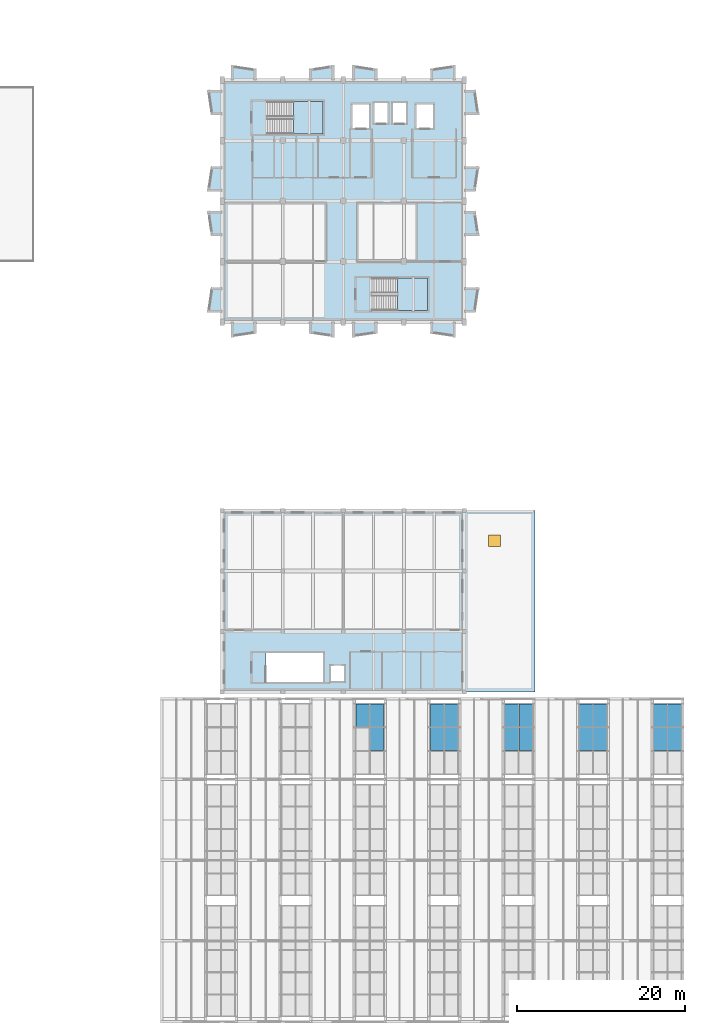
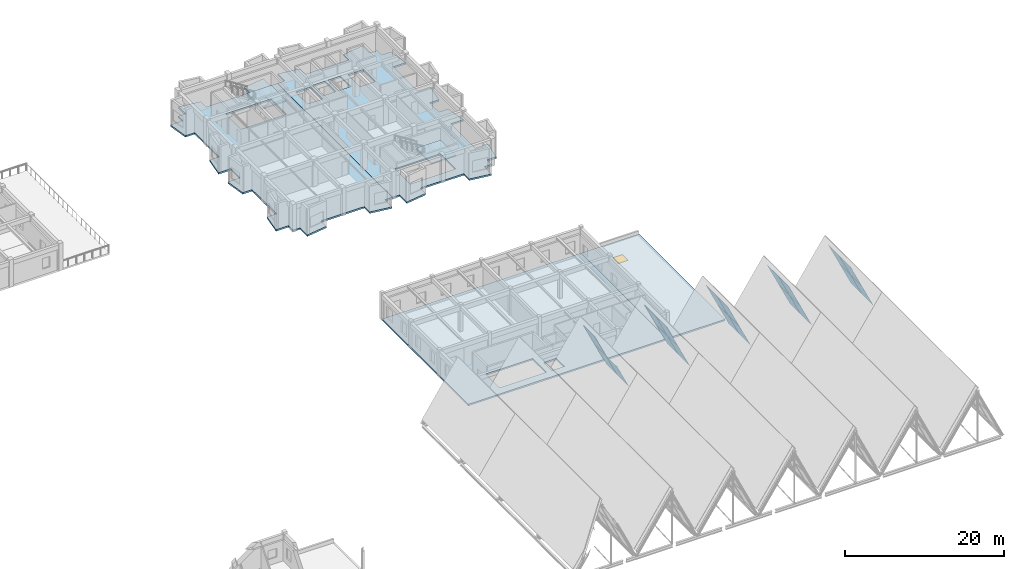
# One storey, part 72 of 99: 19 plates, 6 slabs, 1 window, 1 opening, 7 elements without a shape of their own.
"""IFC4 building model written with IfcOpenShell, lengths in metres."""

from ifc_helpers import new_model, si_unit, direction, frame, origin, origin_2d, place, context, subcontext, project, spatial, polyline, rectangle, outline, extrude, material, layer, layer_set, type_object, element, fill, aggregate, save


model = new_model("IFC4")

# Units and contexts
model_context = context("Model", 3, precision=1e-05, world=origin(), true_north=direction((0.0, 1.0)))
body_context = subcontext(model_context, "Body", "Model", "MODEL_VIEW")
ifc_project = project(units=[si_unit("LENGTHUNIT", "METRE"), si_unit("AREAUNIT", "SQUARE_METRE"), si_unit("VOLUMEUNIT", "CUBIC_METRE"), si_unit("PLANEANGLEUNIT", "RADIAN"), si_unit("MASSUNIT", "GRAM", prefix="KILO")], contexts=[model_context])

# Site, building, storey
site_placement = place(None, origin())
site = spatial("IfcSite", under=ifc_project, at=site_placement, CompositionType="ELEMENT")
building_placement = place(site_placement, origin())
building = spatial("IfcBuilding", under=site, at=building_placement, Name="Bramveld Media Centre", CompositionType="ELEMENT")
storey_placement = place(building_placement, frame((0.0, 0.0, 13.800048828125)))
storey = spatial("IfcBuildingStorey", under=building, at=storey_placement, Name="L03", CompositionType="ELEMENT", Elevation=13.800048828125)

# Curtain wall, plates
ifc_material_1 = material(Name="Thermally broken anodized bronze aluminium unitized curtain wall with solar-control triple glazing", Category="aluminium")
curtain_wall_type = type_object("IfcCurtainWallType", Name="CW-SAW-8500x8606", PredefinedType="NOTDEFINED", material=ifc_material_1)
curtain_wall_1_placement = place(storey_placement, origin())
curtain_wall_1 = element("IfcCurtainWall", 1, at=curtain_wall_1_placement, inside=storey, type_object=curtain_wall_type, Name="V1 sawtooth north-light clerestory B3-S3", PredefinedType="NOTDEFINED")
ifc_material_2 = material(Name="Solar-control triple insulating safety glass unit", Category="glass")
ifc_layer_1 = layer(ifc_material_2, 0.028076171875)
ifc_layer_set_1 = layer_set([ifc_layer_1], Name="Solar-control triple insulating safety glass unit")
plate_type = type_object("IfcPlateType", Name="CW-PAN-SLP", PredefinedType="CURTAIN_PANEL", material=ifc_layer_set_1)
plate_1_placement = place(storey_placement, frame((150.4111328125, 32.21826171875, 0.322509765625), z_axis=(0.9056675867, 0.0, 0.423988469657), x_axis=(0.0, 1.0, 0.0)))
plate_1 = element("IfcPlate", 2, at=plate_1_placement, type_object=plate_type, Name="CW-SA-8586 glass panel 2.1", PredefinedType="CURTAIN_PANEL", context=body_context, shape_type="SweptSolid", body=[
    extrude(outline(polyline([(0.0, 0.0), (2.763427734375, 0.0), (2.763427734375, 3.8764136412276113), (0.0, 3.8764136412276113), (0.0, 0.0)])), origin(), (0.0, 0.0, -1.0), 0.028076171875),
])
plate_2_placement = place(storey_placement, frame((150.4111328125, 35.0517578125, 0.322509765625), z_axis=(0.9056675867, 0.0, 0.423988469657), x_axis=(0.0, 1.0, 0.0)))
plate_2 = element("IfcPlate", 3, at=plate_2_placement, type_object=plate_type, Name="CW-SA-8586 glass panel 3.1", PredefinedType="CURTAIN_PANEL", context=body_context, shape_type="SweptSolid", body=[
    extrude(outline(polyline([(0.0, 0.0), (2.728271484375, 0.0), (2.728271484375, 3.8764136412276113), (0.0, 3.8764136412276113), (0.0, 0.0)])), origin(), (0.0, 0.0, -1.0), 0.028076171875),
])
plate_3_placement = place(storey_placement, frame((148.738037109375, 35.0517578125, 3.896728515625), z_axis=(0.9056675867, 0.0, 0.423988469657), x_axis=(0.0, 1.0, 0.0)))
plate_3 = element("IfcPlate", 4, at=plate_3_placement, type_object=plate_type, Name="CW-SA-8586 glass panel 3.2", PredefinedType="CURTAIN_PANEL", context=body_context, shape_type="SweptSolid", body=[
    extrude(outline(polyline([(0.0, 0.0), (2.728271484375, 0.0), (2.728271484375, 3.8764136412276113), (0.0, 3.8764136412276113), (0.0, 0.0)])), origin(), (0.0, 0.0, -1.0), 0.028076171875),
])
aggregate(curtain_wall_1, [plate_1, plate_2, plate_3])

curtain_wall_2_placement = place(storey_placement, origin())
curtain_wall_2 = element("IfcCurtainWall", 5, at=curtain_wall_2_placement, inside=storey, type_object=curtain_wall_type, Name="V1 sawtooth north-light clerestory B4-S3", PredefinedType="NOTDEFINED")
plate_4_placement = place(storey_placement, frame((159.268310546875, 32.21826171875, 0.322509765625), z_axis=(0.9056675867, 0.0, 0.423988469657), x_axis=(0.0, 1.0, 0.0)))
plate_4 = element("IfcPlate", 6, at=plate_4_placement, type_object=plate_type, Name="CW-SA-8586 glass panel 2.1", PredefinedType="CURTAIN_PANEL", context=body_context, shape_type="SweptSolid", body=[
    extrude(outline(polyline([(0.0, 0.0), (2.763427734375, 0.0), (2.763427734375, 3.8764136412276113), (0.0, 3.8764136412276113), (0.0, 0.0)])), origin(), (0.0, 0.0, -1.0), 0.028076171875),
])
plate_5_placement = place(storey_placement, frame((157.59521484375, 32.21826171875, 3.896728515625), z_axis=(0.9056675867, 0.0, 0.423988469657), x_axis=(0.0, 1.0, 0.0)))
plate_5 = element("IfcPlate", 7, at=plate_5_placement, type_object=plate_type, Name="CW-SA-8586 glass panel 2.2", PredefinedType="CURTAIN_PANEL", context=body_context, shape_type="SweptSolid", body=[
    extrude(outline(polyline([(0.0, 0.0), (2.763427734375, 0.0), (2.763427734375, 3.8764136412276113), (0.0, 3.8764136412276113), (0.0, 0.0)])), origin(), (0.0, 0.0, -1.0), 0.028076171875),
])
plate_6_placement = place(storey_placement, frame((159.268310546875, 35.0517578125, 0.322509765625), z_axis=(0.9056675867, 0.0, 0.423988469657), x_axis=(0.0, 1.0, 0.0)))
plate_6 = element("IfcPlate", 8, at=plate_6_placement, type_object=plate_type, Name="CW-SA-8586 glass panel 3.1", PredefinedType="CURTAIN_PANEL", context=body_context, shape_type="SweptSolid", body=[
    extrude(outline(polyline([(0.0, 0.0), (2.728271484375, 0.0), (2.728271484375, 3.8764136412276113), (0.0, 3.8764136412276113), (0.0, 0.0)])), origin(), (0.0, 0.0, -1.0), 0.028076171875),
])
plate_7_placement = place(storey_placement, frame((157.59521484375, 35.0517578125, 3.896728515625), z_axis=(0.9056675867, 0.0, 0.423988469657), x_axis=(0.0, 1.0, 0.0)))
plate_7 = element("IfcPlate", 9, at=plate_7_placement, type_object=plate_type, Name="CW-SA-8586 glass panel 3.2", PredefinedType="CURTAIN_PANEL", context=body_context, shape_type="SweptSolid", body=[
    extrude(outline(polyline([(0.0, 0.0), (2.728271484375, 0.0), (2.728271484375, 3.8764136412276113), (0.0, 3.8764136412276113), (0.0, 0.0)])), origin(), (0.0, 0.0, -1.0), 0.028076171875),
])
aggregate(curtain_wall_2, [plate_4, plate_5, plate_6, plate_7])

curtain_wall_3_placement = place(storey_placement, origin())
curtain_wall_3 = element("IfcCurtainWall", 10, at=curtain_wall_3_placement, inside=storey, type_object=curtain_wall_type, Name="V1 sawtooth north-light clerestory B5-S3", PredefinedType="NOTDEFINED")
plate_8_placement = place(storey_placement, frame((168.12548828125, 32.21826171875, 0.322509765625), z_axis=(0.9056675867, 0.0, 0.423988469657), x_axis=(0.0, 1.0, 0.0)))
plate_8 = element("IfcPlate", 11, at=plate_8_placement, type_object=plate_type, Name="CW-SA-8586 glass panel 2.1", PredefinedType="CURTAIN_PANEL", context=body_context, shape_type="SweptSolid", body=[
    extrude(outline(polyline([(0.0, 0.0), (2.763427734375, 0.0), (2.763427734375, 3.8764136412276113), (0.0, 3.8764136412276113), (0.0, 0.0)])), origin(), (0.0, 0.0, -1.0), 0.028076171875),
])
plate_9_placement = place(storey_placement, frame((166.452392578125, 32.21826171875, 3.896728515625), z_axis=(0.9056675867, 0.0, 0.423988469657), x_axis=(0.0, 1.0, 0.0)))
plate_9 = element("IfcPlate", 12, at=plate_9_placement, type_object=plate_type, Name="CW-SA-8586 glass panel 2.2", PredefinedType="CURTAIN_PANEL", context=body_context, shape_type="SweptSolid", body=[
    extrude(outline(polyline([(0.0, 0.0), (2.763427734375, 0.0), (2.763427734375, 3.8764136412276113), (0.0, 3.8764136412276113), (0.0, 0.0)])), origin(), (0.0, 0.0, -1.0), 0.028076171875),
])
plate_10_placement = place(storey_placement, frame((168.12548828125, 35.0517578125, 0.322509765625), z_axis=(0.9056675867, 0.0, 0.423988469657), x_axis=(0.0, 1.0, 0.0)))
plate_10 = element("IfcPlate", 13, at=plate_10_placement, type_object=plate_type, Name="CW-SA-8586 glass panel 3.1", PredefinedType="CURTAIN_PANEL", context=body_context, shape_type="SweptSolid", body=[
    extrude(outline(polyline([(0.0, 0.0), (2.728271484375, 0.0), (2.728271484375, 3.8764136412276113), (0.0, 3.8764136412276113), (0.0, 0.0)])), origin(), (0.0, 0.0, -1.0), 0.028076171875),
])
plate_11_placement = place(storey_placement, frame((166.452392578125, 35.0517578125, 3.896728515625), z_axis=(0.9056675867, 0.0, 0.423988469657), x_axis=(0.0, 1.0, 0.0)))
plate_11 = element("IfcPlate", 14, at=plate_11_placement, type_object=plate_type, Name="CW-SA-8586 glass panel 3.2", PredefinedType="CURTAIN_PANEL", context=body_context, shape_type="SweptSolid", body=[
    extrude(outline(polyline([(0.0, 0.0), (2.728271484375, 0.0), (2.728271484375, 3.8764136412276113), (0.0, 3.8764136412276113), (0.0, 0.0)])), origin(), (0.0, 0.0, -1.0), 0.028076171875),
])
aggregate(curtain_wall_3, [plate_8, plate_9, plate_10, plate_11])

curtain_wall_4_placement = place(storey_placement, origin())
curtain_wall_4 = element("IfcCurtainWall", 15, at=curtain_wall_4_placement, inside=storey, type_object=curtain_wall_type, Name="V1 sawtooth north-light clerestory B6-S3", PredefinedType="NOTDEFINED")
plate_12_placement = place(storey_placement, frame((176.982666015625, 32.21826171875, 0.322509765625), z_axis=(0.9056675867, 0.0, 0.423988469657), x_axis=(0.0, 1.0, 0.0)))
plate_12 = element("IfcPlate", 16, at=plate_12_placement, type_object=plate_type, Name="CW-SA-8586 glass panel 2.1", PredefinedType="CURTAIN_PANEL", context=body_context, shape_type="SweptSolid", body=[
    extrude(outline(polyline([(0.0, 0.0), (2.763427734375, 0.0), (2.763427734375, 3.8764136412276113), (0.0, 3.8764136412276113), (0.0, 0.0)])), origin(), (0.0, 0.0, -1.0), 0.028076171875),
])
plate_13_placement = place(storey_placement, frame((175.309326171875, 32.21826171875, 3.896728515625), z_axis=(0.905691770132, 0.0, 0.423936808398), x_axis=(0.0, 1.0, 0.0)))
plate_13 = element("IfcPlate", 17, at=plate_13_placement, type_object=plate_type, Name="CW-SA-8586 glass panel 2.2", PredefinedType="CURTAIN_PANEL", context=body_context, shape_type="SweptSolid", body=[
    extrude(outline(polyline([(0.0, 0.0), (2.763427734375, 0.0), (2.763427734375, 3.876310134723858), (0.0, 3.876310134723858), (0.0, 0.0)])), origin(), (0.0, 0.0, -1.0), 0.028076171875),
])
plate_14_placement = place(storey_placement, frame((176.982666015625, 35.0517578125, 0.322509765625), z_axis=(0.9056675867, 0.0, 0.423988469657), x_axis=(0.0, 1.0, 0.0)))
plate_14 = element("IfcPlate", 18, at=plate_14_placement, type_object=plate_type, Name="CW-SA-8586 glass panel 3.1", PredefinedType="CURTAIN_PANEL", context=body_context, shape_type="SweptSolid", body=[
    extrude(outline(polyline([(0.0, 0.0), (2.728271484375, 0.0), (2.728271484375, 3.8764136412276113), (0.0, 3.8764136412276113), (0.0, 0.0)])), origin(), (0.0, 0.0, -1.0), 0.028076171875),
])
plate_15_placement = place(storey_placement, frame((175.309326171875, 35.0517578125, 3.896728515625), z_axis=(0.905691770132, 0.0, 0.423936808398), x_axis=(0.0, 1.0, 0.0)))
plate_15 = element("IfcPlate", 19, at=plate_15_placement, type_object=plate_type, Name="CW-SA-8586 glass panel 3.2", PredefinedType="CURTAIN_PANEL", context=body_context, shape_type="SweptSolid", body=[
    extrude(outline(polyline([(0.0, 0.0), (2.728271484375, 0.0), (2.728271484375, 3.876310134723858), (0.0, 3.876310134723858), (0.0, 0.0)])), origin(), (0.0, 0.0, -1.0), 0.028076171875),
])
aggregate(curtain_wall_4, [plate_12, plate_13, plate_14, plate_15])

curtain_wall_5_placement = place(storey_placement, origin())
curtain_wall_5 = element("IfcCurtainWall", 20, at=curtain_wall_5_placement, inside=storey, type_object=curtain_wall_type, Name="V1 sawtooth north-light clerestory B7-S3", PredefinedType="NOTDEFINED")
plate_16_placement = place(storey_placement, frame((185.839599609375, 32.21826171875, 0.322509765625), z_axis=(0.905691770132, 0.0, 0.423936808398), x_axis=(0.0, 1.0, 0.0)))
plate_16 = element("IfcPlate", 21, at=plate_16_placement, type_object=plate_type, Name="CW-SA-8586 glass panel 2.1", PredefinedType="CURTAIN_PANEL", context=body_context, shape_type="SweptSolid", body=[
    extrude(outline(polyline([(0.0, 0.0), (2.763427734375, 0.0), (2.763427734375, 3.876310134723858), (0.0, 3.876310134723858), (0.0, 0.0)])), origin(), (0.0, 0.0, -1.0), 0.028076171875),
])
plate_17_placement = place(storey_placement, frame((184.16650390625, 32.21826171875, 3.896728515625), z_axis=(0.905691770132, 0.0, 0.423936808398), x_axis=(0.0, 1.0, 0.0)))
plate_17 = element("IfcPlate", 22, at=plate_17_placement, type_object=plate_type, Name="CW-SA-8586 glass panel 2.2", PredefinedType="CURTAIN_PANEL", context=body_context, shape_type="SweptSolid", body=[
    extrude(outline(polyline([(0.0, 0.0), (2.763427734375, 0.0), (2.763427734375, 3.876310134723858), (0.0, 3.876310134723858), (0.0, 0.0)])), origin(), (0.0, 0.0, -1.0), 0.028076171875),
])
plate_18_placement = place(storey_placement, frame((185.839599609375, 35.0517578125, 0.322509765625), z_axis=(0.905691770132, 0.0, 0.423936808398), x_axis=(0.0, 1.0, 0.0)))
plate_18 = element("IfcPlate", 23, at=plate_18_placement, type_object=plate_type, Name="CW-SA-8586 glass panel 3.1", PredefinedType="CURTAIN_PANEL", context=body_context, shape_type="SweptSolid", body=[
    extrude(outline(polyline([(0.0, 0.0), (2.728271484375, 0.0), (2.728271484375, 3.876310134723858), (0.0, 3.876310134723858), (0.0, 0.0)])), origin(), (0.0, 0.0, -1.0), 0.028076171875),
])
plate_19_placement = place(storey_placement, frame((184.16650390625, 35.0517578125, 3.896728515625), z_axis=(0.905691770132, 0.0, 0.423936808398), x_axis=(0.0, 1.0, 0.0)))
plate_19 = element("IfcPlate", 24, at=plate_19_placement, type_object=plate_type, Name="CW-SA-8586 glass panel 3.2", PredefinedType="CURTAIN_PANEL", context=body_context, shape_type="SweptSolid", body=[
    extrude(outline(polyline([(0.0, 0.0), (2.728271484375, 0.0), (2.728271484375, 3.876310134723858), (0.0, 3.876310134723858), (0.0, 0.0)])), origin(), (0.0, 0.0, -1.0), 0.028076171875),
])
aggregate(curtain_wall_5, [plate_16, plate_17, plate_18, plate_19])

# Slab, opening, window
ifc_material_3 = material(Name="Concrete C40/50", Category="concrete")
ifc_layer_2 = layer(ifc_material_3, 0.241943359375)
ifc_layer_set_2 = layer_set([ifc_layer_2], Name="Concrete C40/50")
slab_type_1 = type_object("IfcSlabType", Name="ROOF-SLAB-242-05", PredefinedType="ROOF", material=ifc_layer_set_2)
slab_1_placement = place(storey_placement, frame((0.0, 0.0, -0.241943359375)))
slab_1 = element("IfcSlab", 25, at=slab_1_placement, inside=storey, type_object=slab_type_1, Name="V4 L03 flat roof slab", PredefinedType="ROOF", context=body_context, shape_type="SweptSolid", body=[
    extrude(outline(polyline([(160.0, 39.199951171875), (168.39990234375, 39.199951171875), (168.39990234375, 60.800048828125), (160.0, 60.800048828125), (160.0, 39.199951171875)])), origin(), (0.0, 0.0, 1.0), 0.241943359375),
])
opening_placement = place(slab_1_placement, frame((163.60009765625, 57.199951171875, 0.0)))
opening = element("IfcOpeningElement", 26, at=opening_placement, cuts=slab_1, Name="Opening SK-02", PredefinedType="OPENING", context=body_context, shape_type="SweptSolid", body=[
    extrude(rectangle(XDim=1.39990234375, YDim=1.39990234375, at=origin_2d()), origin(), (0.0, 0.0, 1.0), 0.241943359375),
])
ifc_material_4 = material(Name="Insulated aluminium smoke-ventilation & maintenance roof skylight hatch", Category="aluminium")
window_type = type_object("IfcWindowType", Name="SKY-HATCH-02", PartitioningType="SINGLE_PANEL", PredefinedType="SKYLIGHT", material=ifc_material_4)
window_placement = place(opening_placement, frame((0.0, 0.0, 0.19189453125)))
window = element("IfcWindow", 27, at=window_placement, inside=storey, type_object=window_type, Name="Roof maintenance & smoke-vent skylight hatch 4", OverallHeight=1.39990234375, OverallWidth=1.39990234375, PartitioningType="SINGLE_PANEL", PredefinedType="SKYLIGHT", context=body_context, shape_type="SweptSolid", body=[
    extrude(rectangle(XDim=1.39990234375, YDim=1.39990234375, at=origin_2d()), origin(), (0.0, 0.0, 1.0), 0.050048828125),
])
fill(opening, window)

# Slabs
ifc_material_5 = material(Name="Concrete C40/50", Category="concrete")
ifc_layer_3 = layer(ifc_material_5, 0.239990234375)
ifc_layer_set_3 = layer_set([ifc_layer_3], Name="Concrete C40/50")
slab_type_2 = type_object("IfcSlabType", Name="SLAB-FLOOR-INT-240", PredefinedType="FLOOR", material=ifc_layer_set_3)
slab_2_placement = place(storey_placement, frame((0.0, 0.0, -0.239990234375)))
element("IfcSlab", 28, at=slab_2_placement, inside=storey, type_object=slab_type_2, Name="V4 L03 structural slab 1", PredefinedType="FLOOR", context=body_context, shape_type="SweptSolid", body=[
    extrude(outline(polyline([(131.199951171875, 60.800048828125), (160.0, 60.800048828125), (160.0, 39.199951171875), (131.199951171875, 39.199951171875), (131.199951171875, 60.800048828125)]), holes=[polyline([(145.800048828125, 40.39990234375), (145.800048828125, 42.39990234375), (144.0, 42.39990234375), (144.0, 40.39990234375), (145.800048828125, 40.39990234375)]), polyline([(136.39990234375, 40.39990234375), (143.199951171875, 40.39990234375), (143.199951171875, 43.85009765625), (136.39990234375, 43.85009765625), (136.39990234375, 40.39990234375)])]), origin(), (0.0, 0.0, 1.0), 0.239990234375),
])
ifc_material_6 = material(Name="Concrete C40/50", Category="concrete")
ifc_layer_4 = layer(ifc_material_6, 0.25)
ifc_layer_set_4 = layer_set([ifc_layer_4], Name="Concrete C40/50")
slab_type_3 = type_object("IfcSlabType", Name="SLAB-FLOOR-INT-250", PredefinedType="FLOOR", material=ifc_layer_set_4)
slab_3_placement = place(storey_placement, frame((0.0, 0.0, -0.25)))
element("IfcSlab", 29, at=slab_3_placement, inside=storey, type_object=slab_type_3, Name="V7 L03 structural slab 1", PredefinedType="FLOOR", context=body_context, shape_type="SweptSolid", body=[
    extrude(outline(polyline([(131.199951171875, 84.35009765625), (129.406982421875, 84.35009765625), (129.85009765625, 87.35009765625), (131.199951171875, 87.35009765625), (131.199951171875, 93.449951171875), (129.85009765625, 93.449951171875), (129.406982421875, 96.449951171875), (131.199951171875, 96.449951171875), (131.199951171875, 98.75), (129.406982421875, 98.75), (129.85009765625, 101.75), (131.199951171875, 101.75), (131.199951171875, 107.85009765625), (129.85009765625, 107.85009765625), (129.406982421875, 110.85009765625), (131.199951171875, 110.85009765625), (131.199951171875, 112.0), (132.25, 112.0), (132.25, 113.79296875), (135.25, 113.35009765625), (135.25, 112.0), (141.550048828125, 112.0), (141.550048828125, 113.35009765625), (144.550048828125, 113.79296875), (144.550048828125, 112.0), (145.60009765625, 112.0), (145.60009765625, 83.199951171875), (144.550048828125, 83.199951171875), (144.550048828125, 81.406982421875), (141.550048828125, 81.85009765625), (141.550048828125, 83.199951171875), (135.25, 83.199951171875), (135.25, 81.85009765625), (132.25, 81.406982421875), (132.25, 83.199951171875), (131.199951171875, 83.199951171875), (131.199951171875, 84.35009765625)]), holes=[polyline([(143.199951171875, 109.449951171875), (136.60009765625, 109.449951171875), (136.60009765625, 105.60009765625), (143.199951171875, 105.60009765625), (143.199951171875, 109.449951171875)])]), origin(), (0.0, 0.0, 1.0), 0.25),
])
slab_4_placement = place(storey_placement, frame((0.0, 0.0, -0.25)))
element("IfcSlab", 30, at=slab_4_placement, inside=storey, type_object=slab_type_3, Name="V7 L03 structural slab 2", PredefinedType="FLOOR", context=body_context, shape_type="SweptSolid", body=[
    extrude(outline(polyline([(146.64990234375, 113.79296875), (149.64990234375, 113.35009765625), (149.64990234375, 112.0), (155.949951171875, 112.0), (155.949951171875, 113.35009765625), (158.949951171875, 113.79296875), (158.949951171875, 112.0), (160.0, 112.0), (160.0, 110.85009765625), (161.35009765625, 110.85009765625), (161.79296875, 107.85009765625), (160.0, 107.85009765625), (160.0, 101.75), (161.79296875, 101.75), (161.35009765625, 98.75), (160.0, 98.75), (160.0, 96.449951171875), (161.35009765625, 96.449951171875), (161.79296875, 93.449951171875), (160.0, 93.449951171875), (160.0, 87.35009765625), (161.79296875, 87.35009765625), (161.35009765625, 84.35009765625), (160.0, 84.35009765625), (160.0, 83.199951171875), (158.949951171875, 83.199951171875), (158.949951171875, 81.406982421875), (155.949951171875, 81.85009765625), (155.949951171875, 83.199951171875), (149.64990234375, 83.199951171875), (149.64990234375, 81.85009765625), (146.64990234375, 81.406982421875), (146.64990234375, 83.199951171875), (145.60009765625, 83.199951171875), (145.60009765625, 112.0), (146.64990234375, 112.0), (146.64990234375, 113.79296875)]), holes=[polyline([(149.0, 88.449951171875), (149.0, 84.60009765625), (155.60009765625, 84.60009765625), (155.60009765625, 88.449951171875), (149.0, 88.449951171875)]), polyline([(146.60009765625, 109.199951171875), (146.60009765625, 106.199951171875), (148.800048828125, 106.199951171875), (148.800048828125, 109.199951171875), (146.60009765625, 109.199951171875)]), polyline([(154.199951171875, 106.199951171875), (156.39990234375, 106.199951171875), (156.39990234375, 109.199951171875), (154.199951171875, 109.199951171875), (154.199951171875, 106.199951171875)]), polyline([(149.199951171875, 109.39990234375), (149.199951171875, 106.800048828125), (151.0, 106.800048828125), (151.0, 109.39990234375), (149.199951171875, 109.39990234375)]), polyline([(151.39990234375, 109.39990234375), (151.39990234375, 106.800048828125), (153.199951171875, 106.800048828125), (153.199951171875, 109.39990234375), (151.39990234375, 109.39990234375)])]), origin(), (0.0, 0.0, 1.0), 0.25),
])

# Stair, slab
ifc_material_7 = material(Name="Concrete C40/50", Category="concrete")
stair_type_1 = type_object("IfcStairType", Name="STAIR-ST-01-24R-1800", PredefinedType="HALF_TURN_STAIR", material=ifc_material_7)
stair_1_placement = place(storey_placement, origin())
stair_1 = element("IfcStair", 31, at=stair_1_placement, inside=storey, type_object=stair_type_1, Name="L03 Core A1 Pressurized Firefighting Stair", PredefinedType="HALF_TURN_STAIR")
ifc_material_8 = material(Name="Concrete C40/50", Category="concrete")
ifc_layer_5 = layer(ifc_material_8, 0.199951171875)
ifc_layer_set_5 = layer_set([ifc_layer_5], Name="Concrete C40/50")
slab_type_4 = type_object("IfcSlabType", Name="SLAB-STAIR-LAND-200", PredefinedType="LANDING", material=ifc_layer_set_5)
slab_5_placement = place(storey_placement, frame((0.0, 0.0, 1.89990234375)))
slab_5 = element("IfcSlab", 32, at=slab_5_placement, type_object=slab_type_4, Name="ST-01 landing 1", PredefinedType="LANDING", context=body_context, shape_type="SweptSolid", body=[
    extrude(outline(polyline([(139.679931640625, 105.60009765625), (143.199951171875, 105.60009765625), (143.199951171875, 109.449951171875), (139.679931640625, 109.449951171875), (139.679931640625, 105.60009765625)])), origin(), (0.0, 0.0, 1.0), 0.199951171875),
])
aggregate(stair_1, [slab_5])

ifc_material_9 = material(Name="Concrete C40/50", Category="concrete")
stair_type_2 = type_object("IfcStairType", Name="STAIR-ST-02-24R-1800", PredefinedType="HALF_TURN_STAIR", material=ifc_material_9)
stair_2_placement = place(storey_placement, origin())
stair_2 = element("IfcStair", 33, at=stair_2_placement, inside=storey, type_object=stair_type_2, Name="L03 Core A2 Pressurized Escape Stair", PredefinedType="HALF_TURN_STAIR")
slab_6_placement = place(storey_placement, frame((0.0, 0.0, 1.89990234375)))
slab_6 = element("IfcSlab", 34, at=slab_6_placement, type_object=slab_type_4, Name="ST-02 landing 1", PredefinedType="LANDING", context=body_context, shape_type="SweptSolid", body=[
    extrude(outline(polyline([(152.080078125, 84.60009765625), (155.60009765625, 84.60009765625), (155.60009765625, 88.449951171875), (152.080078125, 88.449951171875), (152.080078125, 84.60009765625)])), origin(), (0.0, 0.0, 1.0), 0.199951171875),
])
aggregate(stair_2, [slab_6])

save(model, "model.ifc")
